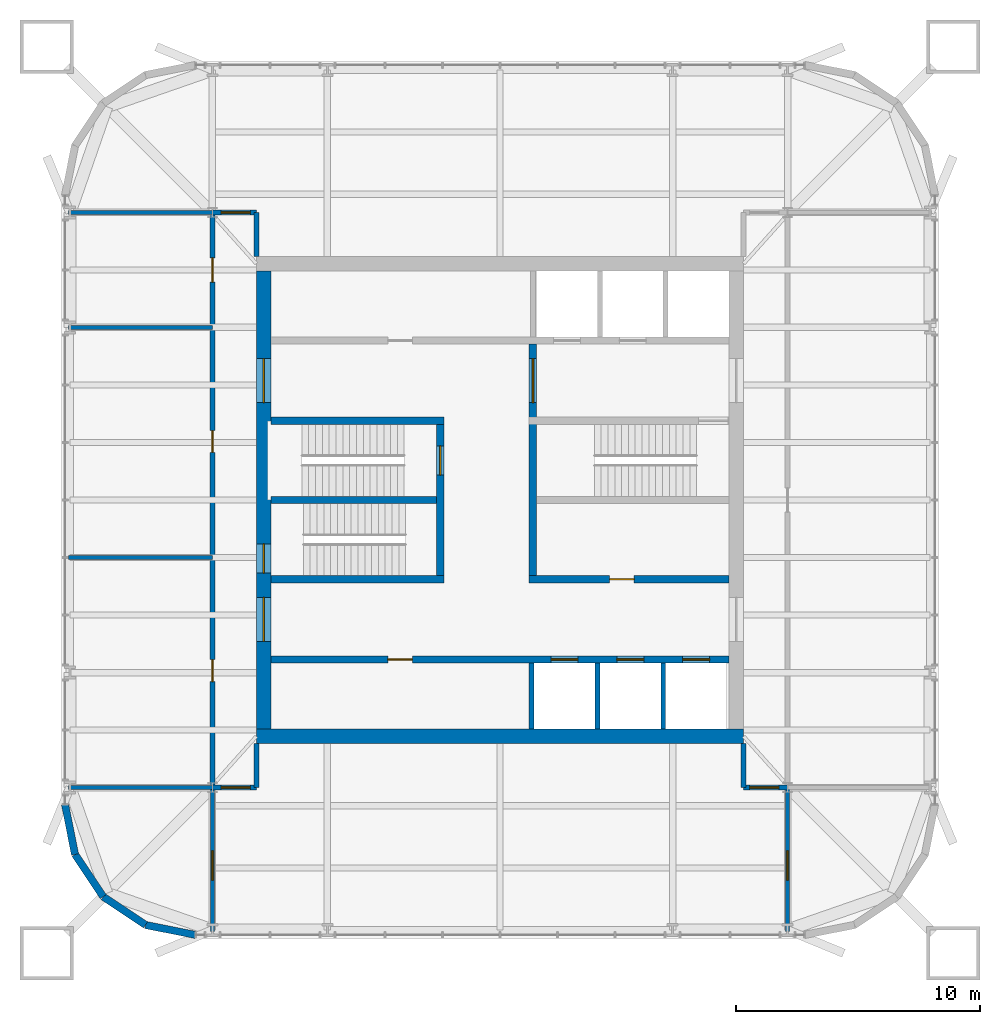
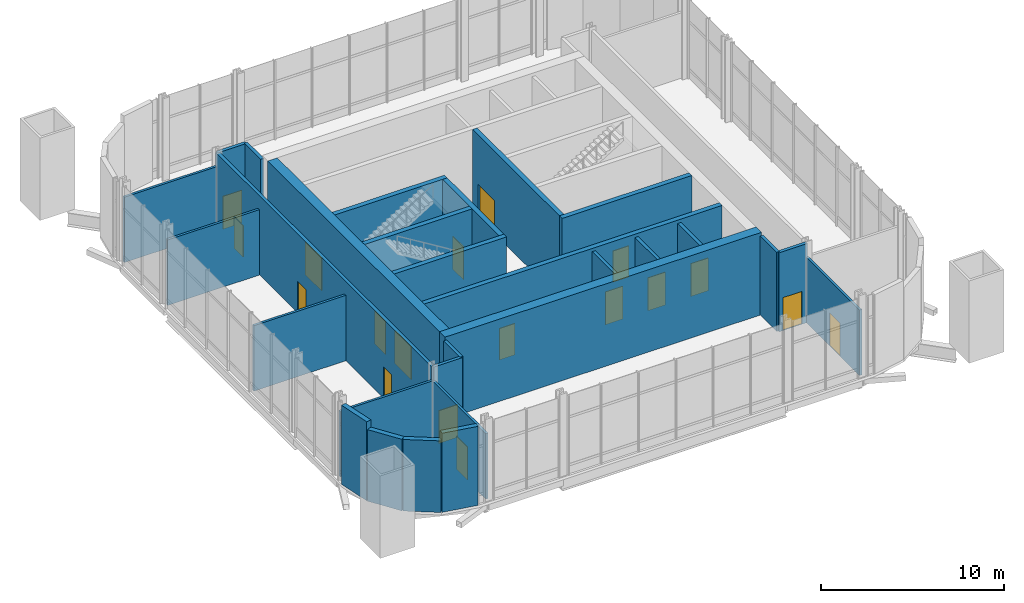
# One storey, part 15 of 17: 29 walls, 18 doors, 18 openings.
"""IFC4 building model written with IfcOpenShell, lengths in metres."""

from ifc_helpers import new_model, si_unit, direction, frame, frame_2d, origin, place, context, subcontext, project, spatial, rectangle, extrude, material, layer, layer_set, type_object, element, fill, save


model = new_model("IFC4")

# Units and contexts
model_context = context("Model", 3, precision=1e-05, world=origin(), true_north=direction((0.0, 1.0)))
body_context = subcontext(model_context, "Body", "Model", "MODEL_VIEW")
ifc_project = project(units=[si_unit("LENGTHUNIT", "METRE"), si_unit("AREAUNIT", "SQUARE_METRE"), si_unit("VOLUMEUNIT", "CUBIC_METRE"), si_unit("PLANEANGLEUNIT", "RADIAN"), si_unit("MASSUNIT", "GRAM", prefix="KILO")], contexts=[model_context])

# Site, building, storey
site_placement = place(None, origin())
site = spatial("IfcSite", under=ifc_project, at=site_placement, CompositionType="ELEMENT")
building_placement = place(site_placement, origin())
building = spatial("IfcBuilding", under=site, at=building_placement, Name="Turquesa Mirador Hotel Tower", CompositionType="ELEMENT")
storey_placement = place(building_placement, frame((0.0, 0.0, 266.699951171875)))
storey = spatial("IfcBuildingStorey", under=building, at=storey_placement, Name="L72", CompositionType="ELEMENT", Elevation=266.699951171875)

# Wall, openings, doors
ifc_material_1 = material(Name="Concrete C50/60", Category="concrete")
ifc_layer_1 = layer(ifc_material_1, 0.300048828125)
ifc_layer_set_1 = layer_set([ifc_layer_1], Name="CORE INNER WALL 300")
wall_type_1 = type_object("IfcWallType", Name="CORE INNER WALL 300", PredefinedType="SHEAR", material=ifc_layer_set_1)
wall_1_placement = place(storey_placement, frame((45.60009765625, 38.449951171875, 0.0), z_axis=(0.0, 0.0, 1.0), x_axis=(1.0, 0.0, 0.0)))
wall_1 = element("IfcWall", 1, at=wall_1_placement, inside=storey, type_object=wall_type_1, Name="Core wall SL", PredefinedType="SHEAR", context=body_context, shape_type="SweptSolid", body=[
    extrude(rectangle(XDim=18.7998046875, YDim=0.300048828125, at=frame_2d((9.39990234375, 0.0))), origin(), (0.0, 0.0, 1.0), 5.5),
])
opening_1_placement = place(wall_1_placement, frame((4.800048828125, 0.0, 0.0)))
opening_1 = element("IfcOpeningElement", 2, at=opening_1_placement, cuts=wall_1, Name="Opening D05", PredefinedType="OPENING", context=body_context, shape_type="SweptSolid", body=[
    extrude(rectangle(XDim=1.0, YDim=2.10009765625, at=frame_2d((0.5, 1.050048828125))), frame((0.0, 0.159912109375, 0.0), z_axis=(0.0, -1.0, 0.0), x_axis=(1.0, 0.0, 0.0)), (0.0, 0.0, 1.0), 0.320068359375),
])
opening_2_placement = place(wall_1_placement, frame((11.5, 0.0, 0.0)))
opening_2 = element("IfcOpeningElement", 3, at=opening_2_placement, cuts=wall_1, Name="Opening LD", PredefinedType="OPENING", context=body_context, shape_type="SweptSolid", body=[
    extrude(rectangle(XDim=1.10009765625, YDim=2.199951171875, at=frame_2d((0.550048828125, 1.10009765625))), frame((0.0, 0.159912109375, 0.0), z_axis=(0.0, -1.0, 0.0), x_axis=(1.0, 0.0, 0.0)), (0.0, 0.0, 1.0), 0.320068359375),
])
opening_3_placement = place(wall_1_placement, frame((14.199951171875, 0.0, 0.0)))
opening_3 = element("IfcOpeningElement", 4, at=opening_3_placement, cuts=wall_1, Name="Opening LD", PredefinedType="OPENING", context=body_context, shape_type="SweptSolid", body=[
    extrude(rectangle(XDim=1.10009765625, YDim=2.199951171875, at=frame_2d((0.550048828125, 1.10009765625))), frame((0.0, 0.159912109375, 0.0), z_axis=(0.0, -1.0, 0.0), x_axis=(1.0, 0.0, 0.0)), (0.0, 0.0, 1.0), 0.320068359375),
])
opening_4_placement = place(wall_1_placement, frame((16.89990234375, 0.0, 0.0)))
opening_4 = element("IfcOpeningElement", 5, at=opening_4_placement, cuts=wall_1, Name="Opening LD", PredefinedType="OPENING", context=body_context, shape_type="SweptSolid", body=[
    extrude(rectangle(XDim=1.10009765625, YDim=2.199951171875, at=frame_2d((0.550048828125, 1.10009765625))), frame((0.0, 0.159912109375, 0.0), z_axis=(0.0, -1.0, 0.0), x_axis=(1.0, 0.0, 0.0)), (0.0, 0.0, 1.0), 0.320068359375),
])
ifc_material_2 = material(Name="Steel fire door", Category="steel")
door_type_1 = type_object("IfcDoorType", Name="DOOR 1000X2100 SERVICE", OperationType="SINGLE_SWING_LEFT", PredefinedType="DOOR", material=ifc_material_2)
door_1_placement = place(opening_1_placement, origin())
door_1 = element("IfcDoor", 6, at=door_1_placement, inside=storey, type_object=door_type_1, Name="Staff room door", OperationType="SINGLE_SWING_LEFT", OverallHeight=2.10009765625, OverallWidth=1.0, PredefinedType="DOOR", context=body_context, shape_type="SweptSolid", body=[
    extrude(rectangle(XDim=1.0, YDim=2.10009765625, at=frame_2d((0.5, 1.050048828125))), frame((0.0, 0.02490234375, 0.0), z_axis=(0.0, -1.0, 0.0), x_axis=(1.0, 0.0, 0.0)), (0.0, 0.0, 1.0), 0.050048828125),
])
fill(opening_1, door_1)
ifc_material_3 = material(Name="Stainless steel lift landing door", Category="steel")
door_type_2 = type_object("IfcDoorType", Name="LIFT LANDING DOOR 1100X2200", OperationType="SLIDING_TO_LEFT", PredefinedType="DOOR", material=ifc_material_3)
door_2_placement = place(opening_2_placement, origin())
door_2 = element("IfcDoor", 7, at=door_2_placement, inside=storey, type_object=door_type_2, Name="Lift X1 landing door", OperationType="SLIDING_TO_LEFT", OverallHeight=2.199951171875, OverallWidth=1.10009765625, PredefinedType="DOOR", context=body_context, shape_type="SweptSolid", body=[
    extrude(rectangle(XDim=1.10009765625, YDim=2.199951171875, at=frame_2d((0.550048828125, 1.10009765625))), frame((0.0, 0.02490234375, 0.0), z_axis=(0.0, -1.0, 0.0), x_axis=(1.0, 0.0, 0.0)), (0.0, 0.0, 1.0), 0.050048828125),
])
fill(opening_2, door_2)
door_3_placement = place(opening_3_placement, origin())
door_3 = element("IfcDoor", 8, at=door_3_placement, inside=storey, type_object=door_type_2, Name="Lift X2 landing door", OperationType="SLIDING_TO_LEFT", OverallHeight=2.199951171875, OverallWidth=1.10009765625, PredefinedType="DOOR", context=body_context, shape_type="SweptSolid", body=[
    extrude(rectangle(XDim=1.10009765625, YDim=2.199951171875, at=frame_2d((0.550048828125, 1.10009765625))), frame((0.0, 0.02490234375, 0.0), z_axis=(0.0, -1.0, 0.0), x_axis=(1.0, 0.0, 0.0)), (0.0, 0.0, 1.0), 0.050048828125),
])
fill(opening_3, door_3)
door_4_placement = place(opening_4_placement, origin())
door_4 = element("IfcDoor", 9, at=door_4_placement, inside=storey, type_object=door_type_2, Name="Lift X3 landing door", OperationType="SLIDING_TO_LEFT", OverallHeight=2.199951171875, OverallWidth=1.10009765625, PredefinedType="DOOR", context=body_context, shape_type="SweptSolid", body=[
    extrude(rectangle(XDim=1.10009765625, YDim=2.199951171875, at=frame_2d((0.550048828125, 1.10009765625))), frame((0.0, 0.02490234375, 0.0), z_axis=(0.0, -1.0, 0.0), x_axis=(1.0, 0.0, 0.0)), (0.0, 0.0, 1.0), 0.050048828125),
])
fill(opening_4, door_4)

# Walls
for number, where, z_axis, x_axis, name in (
    (10, (45.60009765625, 48.25, 0.0), (0.0, 0.0, 1.0), (1.0, 0.0, 0.0), "Core wall MN-W"),
    (11, (45.60009765625, 41.75, 0.0), (0.0, 0.0, 1.0), (1.0, 0.0, 0.0), "Core wall MS-W"),
):
    element("IfcWall", number, at=place(storey_placement, frame(where, z_axis=z_axis, x_axis=x_axis)), inside=storey, type_object=wall_type_1, Name=name, PredefinedType="SHEAR", context=body_context, shape_type="SweptSolid", body=[
        extrude(rectangle(XDim=7.099853515625, YDim=0.300048828125, at=frame_2d((3.5498046875, 0.0))), origin(), (0.0, 0.0, 1.0), 5.5),
    ])

# Wall, opening, door
wall_2_placement = place(storey_placement, frame((56.199951171875, 41.75, 0.0), z_axis=(0.0, 0.0, 1.0), x_axis=(1.0, 0.0, 0.0)))
wall_2 = element("IfcWall", 12, at=wall_2_placement, inside=storey, type_object=wall_type_1, Name="Core wall MS-E", PredefinedType="SHEAR", context=body_context, shape_type="SweptSolid", body=[
    extrude(rectangle(XDim=8.199951171875, YDim=0.300048828125, at=frame_2d((4.10009765625, 0.0))), origin(), (0.0, 0.0, 1.0), 5.5),
])
opening_5_placement = place(wall_2_placement, frame((3.300048828125, 0.0, 0.0)))
opening_5 = element("IfcOpeningElement", 13, at=opening_5_placement, cuts=wall_2, Name="Opening D05", PredefinedType="OPENING", context=body_context, shape_type="SweptSolid", body=[
    extrude(rectangle(XDim=1.0, YDim=2.10009765625, at=frame_2d((0.5, 1.050048828125))), frame((0.0, 0.159912109375, 0.0), z_axis=(0.0, -1.0, 0.0), x_axis=(1.0, 0.0, 0.0)), (0.0, 0.0, 1.0), 0.320068359375),
])
door_5_placement = place(opening_5_placement, origin())
door_5 = element("IfcDoor", 14, at=door_5_placement, inside=storey, type_object=door_type_1, Name="Housekeeping room door", OperationType="SINGLE_SWING_LEFT", OverallHeight=2.10009765625, OverallWidth=1.0, PredefinedType="DOOR", context=body_context, shape_type="SweptSolid", body=[
    extrude(rectangle(XDim=1.0, YDim=2.10009765625, at=frame_2d((0.5, 1.050048828125))), frame((0.0, 0.02490234375, 0.0), z_axis=(0.0, -1.0, 0.0), x_axis=(1.0, 0.0, 0.0)), (0.0, 0.0, 1.0), 0.050048828125),
])
fill(opening_5, door_5)

wall_3_placement = place(storey_placement, frame((52.550048828125, 41.89990234375, 0.0), z_axis=(0.0, 0.0, 1.0), x_axis=(0.0, 1.0, 0.0)))
wall_3 = element("IfcWall", 15, at=wall_3_placement, inside=storey, type_object=wall_type_1, Name="Core wall PW", PredefinedType="SHEAR", context=body_context, shape_type="SweptSolid", body=[
    extrude(rectangle(XDim=6.2001953125, YDim=0.300048828125, at=frame_2d((3.10009765625, 0.0))), origin(), (0.0, 0.0, 1.0), 5.5),
])
opening_6_placement = place(wall_3_placement, frame((4.125, 0.0, 0.0)))
opening_6 = element("IfcOpeningElement", 16, at=opening_6_placement, cuts=wall_3, Name="Opening D03", PredefinedType="OPENING", context=body_context, shape_type="SweptSolid", body=[
    extrude(rectangle(XDim=1.199951171875, YDim=2.199951171875, at=frame_2d((0.60009765625, 1.10009765625))), frame((0.0, 0.159912109375, 0.0), z_axis=(0.0, -1.0, 0.0), x_axis=(1.0, 0.0, 0.0)), (0.0, 0.0, 1.0), 0.320068359375),
])
ifc_material_4 = material(Name="Steel fire door", Category="steel")
door_type_3 = type_object("IfcDoorType", Name="DOOR 1200X2200 STAIR", OperationType="SINGLE_SWING_LEFT", PredefinedType="DOOR", material=ifc_material_4)
door_6_placement = place(opening_6_placement, origin())
door_6 = element("IfcDoor", 17, at=door_6_placement, inside=storey, type_object=door_type_3, Name="Stair ST1 door", OperationType="SINGLE_SWING_LEFT", OverallHeight=2.199951171875, OverallWidth=1.199951171875, PredefinedType="DOOR", context=body_context, shape_type="SweptSolid", body=[
    extrude(rectangle(XDim=1.199951171875, YDim=2.199951171875, at=frame_2d((0.60009765625, 1.10009765625))), frame((0.0, 0.02490234375, 0.0), z_axis=(0.0, -1.0, 0.0), x_axis=(1.0, 0.0, 0.0)), (0.0, 0.0, 1.0), 0.050048828125),
])
fill(opening_6, door_6)

wall_4_placement = place(storey_placement, frame((56.35009765625, 41.89990234375, 0.0), z_axis=(0.0, 0.0, 1.0), x_axis=(0.0, 1.0, 0.0)))
wall_4 = element("IfcWall", 18, at=wall_4_placement, inside=storey, type_object=wall_type_1, Name="Core wall PE", PredefinedType="SHEAR", context=body_context, shape_type="SweptSolid", body=[
    extrude(rectangle(XDim=9.5, YDim=0.300048828125, at=frame_2d((4.75, 0.0))), origin(), (0.0, 0.0, 1.0), 5.5),
])
opening_7_placement = place(wall_4_placement, frame((7.10009765625, 0.0, 0.0)))
opening_7 = element("IfcOpeningElement", 19, at=opening_7_placement, cuts=wall_4, Name="Opening D04", PredefinedType="OPENING", context=body_context, shape_type="SweptSolid", body=[
    extrude(rectangle(XDim=1.800048828125, YDim=2.199951171875, at=frame_2d((0.89990234375, 1.10009765625))), frame((0.0, 0.159912109375, 0.0), z_axis=(0.0, -1.0, 0.0), x_axis=(1.0, 0.0, 0.0)), (0.0, 0.0, 1.0), 0.320068359375),
])
ifc_material_5 = material(Name="Steel fire door pair", Category="steel")
door_type_4 = type_object("IfcDoorType", Name="DOOR 1800X2200 PAIR", OperationType="DOUBLE_DOOR_SINGLE_SWING", PredefinedType="DOOR", material=ifc_material_5)
door_7_placement = place(opening_7_placement, origin())
door_7 = element("IfcDoor", 20, at=door_7_placement, inside=storey, type_object=door_type_4, Name="Firefighting lobby inner door", OperationType="DOUBLE_DOOR_SINGLE_SWING", OverallHeight=2.199951171875, OverallWidth=1.800048828125, PredefinedType="DOOR", context=body_context, shape_type="SweptSolid", body=[
    extrude(rectangle(XDim=1.800048828125, YDim=2.199951171875, at=frame_2d((0.89990234375, 1.10009765625))), frame((0.0, 0.02490234375, 0.0), z_axis=(0.0, -1.0, 0.0), x_axis=(1.0, 0.0, 0.0)), (0.0, 0.0, 1.0), 0.050048828125),
])
fill(opening_7, door_7)

# Walls
wall_5_placement = place(storey_placement, frame((45.60009765625, 45.0, 0.0), z_axis=(0.0, 0.0, 1.0), x_axis=(1.0, 0.0, 0.0)))
element("IfcWall", 21, at=wall_5_placement, inside=storey, type_object=wall_type_1, Name="Core wall M0-W", PredefinedType="SHEAR", context=body_context, shape_type="SweptSolid", body=[
    extrude(rectangle(XDim=6.7998046875, YDim=0.300048828125, at=frame_2d((3.39990234375, 0.0))), origin(), (0.0, 0.0, 1.0), 5.5),
])
ifc_material_6 = material(Name="Concrete C50/60", Category="concrete")
ifc_layer_2 = layer(ifc_material_6, 0.60009765625)
ifc_layer_set_2 = layer_set([ifc_layer_2], Name="CORE WALL 600")
wall_type_2 = type_object("IfcWallType", Name="CORE WALL 600", PredefinedType="SHEAR", material=ifc_layer_set_2)
wall_6_placement = place(storey_placement, frame((45.0, 35.300048828125, 0.0), z_axis=(0.0, 0.0, 1.0), x_axis=(1.0, 0.0, 0.0)))
element("IfcWall", 22, at=wall_6_placement, inside=storey, type_object=wall_type_2, Name="Core wall S", PredefinedType="SHEAR", context=body_context, shape_type="SweptSolid", body=[
    extrude(rectangle(XDim=20.0, YDim=0.60009765625, at=frame_2d((10.0, 0.0))), origin(), (0.0, 0.0, 1.0), 5.5),
])

# Wall, openings, doors
wall_7_placement = place(storey_placement, frame((45.300048828125, 35.60009765625, 0.0), z_axis=(0.0, 0.0, 1.0), x_axis=(0.0, 1.0, 0.0)))
wall_7 = element("IfcWall", 23, at=wall_7_placement, inside=storey, type_object=wall_type_2, Name="Core wall W", PredefinedType="SHEAR", context=body_context, shape_type="SweptSolid", body=[
    extrude(rectangle(XDim=18.7998046875, YDim=0.60009765625, at=frame_2d((9.39990234375, 0.0))), origin(), (0.0, 0.0, 1.0), 5.5),
])
opening_8_placement = place(wall_7_placement, frame((13.39990234375, 0.0, 0.0)))
opening_8 = element("IfcOpeningElement", 24, at=opening_8_placement, cuts=wall_7, Name="Opening D04", PredefinedType="OPENING", context=body_context, shape_type="SweptSolid", body=[
    extrude(rectangle(XDim=1.800048828125, YDim=2.199951171875, at=frame_2d((0.89990234375, 1.10009765625))), frame((0.0, 0.31005859375, 0.0), z_axis=(0.0, -1.0, 0.0), x_axis=(1.0, 0.0, 0.0)), (0.0, 0.0, 1.0), 0.6201171875),
])
opening_9_placement = place(wall_7_placement, frame((3.60009765625, 0.0, 0.0)))
opening_9 = element("IfcOpeningElement", 25, at=opening_9_placement, cuts=wall_7, Name="Opening D04", PredefinedType="OPENING", context=body_context, shape_type="SweptSolid", body=[
    extrude(rectangle(XDim=1.800048828125, YDim=2.199951171875, at=frame_2d((0.89990234375, 1.10009765625))), frame((0.0, 0.31005859375, 0.0), z_axis=(0.0, -1.0, 0.0), x_axis=(1.0, 0.0, 0.0)), (0.0, 0.0, 1.0), 0.6201171875),
])
opening_10_placement = place(wall_7_placement, frame((6.39990234375, 0.0, 0.0)))
opening_10 = element("IfcOpeningElement", 26, at=opening_10_placement, cuts=wall_7, Name="Opening D03", PredefinedType="OPENING", context=body_context, shape_type="SweptSolid", body=[
    extrude(rectangle(XDim=1.199951171875, YDim=2.199951171875, at=frame_2d((0.60009765625, 1.10009765625))), frame((0.0, 0.31005859375, 0.0), z_axis=(0.0, -1.0, 0.0), x_axis=(1.0, 0.0, 0.0)), (0.0, 0.0, 1.0), 0.6201171875),
])
door_8_placement = place(opening_10_placement, origin())
door_8 = element("IfcDoor", 27, at=door_8_placement, inside=storey, type_object=door_type_3, Name="Stair ST2 door", OperationType="SINGLE_SWING_LEFT", OverallHeight=2.199951171875, OverallWidth=1.199951171875, PredefinedType="DOOR", context=body_context, shape_type="SweptSolid", body=[
    extrude(rectangle(XDim=1.199951171875, YDim=2.199951171875, at=frame_2d((0.60009765625, 1.10009765625))), frame((0.0, 0.02490234375, 0.0), z_axis=(0.0, -1.0, 0.0), x_axis=(1.0, 0.0, 0.0)), (0.0, 0.0, 1.0), 0.050048828125),
])
fill(opening_10, door_8)
door_9_placement = place(opening_8_placement, origin())
door_9 = element("IfcDoor", 28, at=door_9_placement, inside=storey, type_object=door_type_4, Name="North lift lobby door", OperationType="DOUBLE_DOOR_SINGLE_SWING", OverallHeight=2.199951171875, OverallWidth=1.800048828125, PredefinedType="DOOR", context=body_context, shape_type="SweptSolid", body=[
    extrude(rectangle(XDim=1.800048828125, YDim=2.199951171875, at=frame_2d((0.89990234375, 1.10009765625))), frame((0.0, 0.02490234375, 0.0), z_axis=(0.0, -1.0, 0.0), x_axis=(1.0, 0.0, 0.0)), (0.0, 0.0, 1.0), 0.050048828125),
])
fill(opening_8, door_9)
door_10_placement = place(opening_9_placement, origin())
door_10 = element("IfcDoor", 29, at=door_10_placement, inside=storey, type_object=door_type_4, Name="South lift lobby door", OperationType="DOUBLE_DOOR_SINGLE_SWING", OverallHeight=2.199951171875, OverallWidth=1.800048828125, PredefinedType="DOOR", context=body_context, shape_type="SweptSolid", body=[
    extrude(rectangle(XDim=1.800048828125, YDim=2.199951171875, at=frame_2d((0.89990234375, 1.10009765625))), frame((0.0, 0.02490234375, 0.0), z_axis=(0.0, -1.0, 0.0), x_axis=(1.0, 0.0, 0.0)), (0.0, 0.0, 1.0), 0.050048828125),
])
fill(opening_9, door_10)

# Wall, opening, door
ifc_material_7 = material(Name="Fire-rated gypsum board on steel studs", Category="steel")
ifc_layer_3 = layer(ifc_material_7, 0.199951171875)
ifc_layer_set_3 = layer_set([ifc_layer_3], Name="CORRIDOR WALL 200")
wall_type_3 = type_object("IfcWallType", Name="CORRIDOR WALL 200", PredefinedType="PARTITIONING", material=ifc_layer_set_3)
wall_8_placement = place(storey_placement, frame((43.199951171875, 33.199951171875, 0.0), z_axis=(0.0, 0.0, 1.0), x_axis=(1.0, 0.0, 0.0)))
wall_8 = element("IfcWall", 30, at=wall_8_placement, inside=storey, type_object=wall_type_3, Name="Partition L72 001", PredefinedType="PARTITIONING", context=body_context, shape_type="SweptSolid", body=[
    extrude(rectangle(XDim=1.800048828125, YDim=0.199951171875, at=frame_2d((0.89990234375, 0.0))), origin(), (0.0, 0.0, 1.0), 5.280029296875),
])
opening_11_placement = place(wall_8_placement, frame((0.35009765625, 0.0, 0.0)))
opening_11 = element("IfcOpeningElement", 31, at=opening_11_placement, cuts=wall_8, Name="Opening D19", PredefinedType="OPENING", context=body_context, shape_type="SweptSolid", body=[
    extrude(rectangle(XDim=1.199951171875, YDim=2.199951171875, at=frame_2d((0.60009765625, 1.10009765625))), frame((0.0, 0.10986328125, 0.0), z_axis=(0.0, -1.0, 0.0), x_axis=(1.0, 0.0, 0.0)), (0.0, 0.0, 1.0), 0.219970703125),
])
ifc_material_8 = material(Name="Steel glazed fire door", Category="steel")
door_type_5 = type_object("IfcDoorType", Name="DOOR 1200X2200 FIRE DOOR GLAZED", OperationType="SINGLE_SWING_LEFT", PredefinedType="DOOR", material=ifc_material_8)
door_11_placement = place(opening_11_placement, origin())
door_11 = element("IfcDoor", 32, at=door_11_placement, inside=storey, type_object=door_type_5, Name="Door L72-02", OperationType="SINGLE_SWING_LEFT", OverallHeight=2.199951171875, OverallWidth=1.199951171875, PredefinedType="DOOR", context=body_context, shape_type="SweptSolid", body=[
    extrude(rectangle(XDim=1.199951171875, YDim=2.199951171875, at=frame_2d((0.60009765625, 1.10009765625))), frame((0.0, 0.02490234375, 0.0), z_axis=(0.0, -1.0, 0.0), x_axis=(1.0, 0.0, 0.0)), (0.0, 0.0, 1.0), 0.050048828125),
])
fill(opening_11, door_11)

wall_9_placement = place(storey_placement, frame((65.0, 33.199951171875, 0.0), z_axis=(0.0, 0.0, 1.0), x_axis=(1.0, 0.0, 0.0)))
wall_9 = element("IfcWall", 33, at=wall_9_placement, inside=storey, type_object=wall_type_3, Name="Partition L72 002", PredefinedType="PARTITIONING", context=body_context, shape_type="SweptSolid", body=[
    extrude(rectangle(XDim=1.800048828125, YDim=0.199951171875, at=frame_2d((0.89990234375, 0.0))), origin(), (0.0, 0.0, 1.0), 5.280029296875),
])
opening_12_placement = place(wall_9_placement, frame((0.25, 0.0, 0.0)))
opening_12 = element("IfcOpeningElement", 34, at=opening_12_placement, cuts=wall_9, Name="Opening D19", PredefinedType="OPENING", context=body_context, shape_type="SweptSolid", body=[
    extrude(rectangle(XDim=1.199951171875, YDim=2.199951171875, at=frame_2d((0.60009765625, 1.10009765625))), frame((0.0, 0.10986328125, 0.0), z_axis=(0.0, -1.0, 0.0), x_axis=(1.0, 0.0, 0.0)), (0.0, 0.0, 1.0), 0.219970703125),
])
door_12_placement = place(opening_12_placement, origin())
door_12 = element("IfcDoor", 35, at=door_12_placement, inside=storey, type_object=door_type_5, Name="Door L72-02-1", OperationType="SINGLE_SWING_LEFT", OverallHeight=2.199951171875, OverallWidth=1.199951171875, PredefinedType="DOOR", context=body_context, shape_type="SweptSolid", body=[
    extrude(rectangle(XDim=1.199951171875, YDim=2.199951171875, at=frame_2d((0.60009765625, 1.10009765625))), frame((0.0, 0.02490234375, 0.0), z_axis=(0.0, -1.0, 0.0), x_axis=(1.0, 0.0, 0.0)), (0.0, 0.0, 1.0), 0.050048828125),
])
fill(opening_12, door_12)

wall_10_placement = place(storey_placement, frame((43.199951171875, 56.800048828125, 0.0), z_axis=(0.0, 0.0, 1.0), x_axis=(1.0, 0.0, 0.0)))
wall_10 = element("IfcWall", 36, at=wall_10_placement, inside=storey, type_object=wall_type_3, Name="Partition L72 006", PredefinedType="PARTITIONING", context=body_context, shape_type="SweptSolid", body=[
    extrude(rectangle(XDim=1.800048828125, YDim=0.199951171875, at=frame_2d((0.89990234375, 0.0))), origin(), (0.0, 0.0, 1.0), 5.280029296875),
])
opening_13_placement = place(wall_10_placement, frame((0.35009765625, 0.0, 0.0)))
opening_13 = element("IfcOpeningElement", 37, at=opening_13_placement, cuts=wall_10, Name="Opening D19", PredefinedType="OPENING", context=body_context, shape_type="SweptSolid", body=[
    extrude(rectangle(XDim=1.199951171875, YDim=2.199951171875, at=frame_2d((0.60009765625, 1.10009765625))), frame((0.0, 0.10986328125, 0.0), z_axis=(0.0, -1.0, 0.0), x_axis=(1.0, 0.0, 0.0)), (0.0, 0.0, 1.0), 0.219970703125),
])
door_13_placement = place(opening_13_placement, origin())
door_13 = element("IfcDoor", 38, at=door_13_placement, inside=storey, type_object=door_type_5, Name="Door L72-01", OperationType="SINGLE_SWING_LEFT", OverallHeight=2.199951171875, OverallWidth=1.199951171875, PredefinedType="DOOR", context=body_context, shape_type="SweptSolid", body=[
    extrude(rectangle(XDim=1.199951171875, YDim=2.199951171875, at=frame_2d((0.60009765625, 1.10009765625))), frame((0.0, 0.02490234375, 0.0), z_axis=(0.0, -1.0, 0.0), x_axis=(1.0, 0.0, 0.0)), (0.0, 0.0, 1.0), 0.050048828125),
])
fill(opening_13, door_13)

# Walls
for number, where, z_axis, x_axis, name in (
    (39, (45.0, 33.199951171875, 0.0), (0.0, 0.0, 1.0), (0.0, 1.0, 0.0), "Partition L72 011"),
    (40, (45.0, 55.0, 0.0), (0.0, 0.0, 1.0), (0.0, 1.0, 0.0), "Partition L72 012"),
):
    element("IfcWall", number, at=place(storey_placement, frame(where, z_axis=z_axis, x_axis=x_axis)), inside=storey, type_object=wall_type_3, Name=name, PredefinedType="PARTITIONING", context=body_context, shape_type="SweptSolid", body=[
        extrude(rectangle(XDim=1.800048828125, YDim=0.199951171875, at=frame_2d((0.89990234375, 0.0))), origin(), (0.0, 0.0, 1.0), 5.280029296875),
    ])

# Wall, openings, doors
wall_11_placement = place(storey_placement, frame((43.199951171875, 33.199951171875, 0.0), z_axis=(0.0, 0.0, 1.0), x_axis=(0.0, 1.0, 0.0)))
wall_11 = element("IfcWall", 41, at=wall_11_placement, inside=storey, type_object=wall_type_3, Name="Partition L72 013", PredefinedType="PARTITIONING", context=body_context, shape_type="SweptSolid", body=[
    extrude(rectangle(XDim=23.60009765625, YDim=0.199951171875, at=frame_2d((11.800048828125, 0.0))), origin(), (0.0, 0.0, 1.0), 5.280029296875),
])
opening_14_placement = place(wall_11_placement, frame((20.739990234375, 0.0, 0.0)))
opening_14 = element("IfcOpeningElement", 42, at=opening_14_placement, cuts=wall_11, Name="Opening D07", PredefinedType="OPENING", context=body_context, shape_type="SweptSolid", body=[
    extrude(rectangle(XDim=1.0, YDim=2.10009765625, at=frame_2d((0.5, 1.050048828125))), frame((0.0, 0.10986328125, 0.0), z_axis=(0.0, -1.0, 0.0), x_axis=(1.0, 0.0, 0.0)), (0.0, 0.0, 1.0), 0.219970703125),
])
opening_15_placement = place(wall_11_placement, frame((4.35009765625, 0.0, 0.0)))
opening_15 = element("IfcOpeningElement", 43, at=opening_15_placement, cuts=wall_11, Name="Opening D06", PredefinedType="OPENING", context=body_context, shape_type="SweptSolid", body=[
    extrude(rectangle(XDim=0.89990234375, YDim=2.10009765625, at=frame_2d((0.449951171875, 1.050048828125))), frame((0.0, 0.10986328125, 0.0), z_axis=(0.0, -1.0, 0.0), x_axis=(1.0, 0.0, 0.0)), (0.0, 0.0, 1.0), 0.219970703125),
])
opening_16_placement = place(wall_11_placement, frame((13.75, 0.0, 0.0)))
opening_16 = element("IfcOpeningElement", 44, at=opening_16_placement, cuts=wall_11, Name="Opening D06", PredefinedType="OPENING", context=body_context, shape_type="SweptSolid", body=[
    extrude(rectangle(XDim=0.89990234375, YDim=2.10009765625, at=frame_2d((0.449951171875, 1.050048828125))), frame((0.0, 0.10986328125, 0.0), z_axis=(0.0, -1.0, 0.0), x_axis=(1.0, 0.0, 0.0)), (0.0, 0.0, 1.0), 0.219970703125),
])
ifc_material_9 = material(Name="Laminate sliding door", Category="wood")
door_type_6 = type_object("IfcDoorType", Name="DOOR 1000X2100 ACCESSIBLE WC", OperationType="SLIDING_TO_LEFT", PredefinedType="DOOR", material=ifc_material_9)
door_14_placement = place(opening_14_placement, origin())
door_14 = element("IfcDoor", 45, at=door_14_placement, inside=storey, type_object=door_type_6, Name="Door L72-08", OperationType="SLIDING_TO_LEFT", OverallHeight=2.10009765625, OverallWidth=1.0, PredefinedType="DOOR", context=body_context, shape_type="SweptSolid", body=[
    extrude(rectangle(XDim=1.0, YDim=2.10009765625, at=frame_2d((0.5, 1.050048828125))), frame((0.0, 0.02490234375, 0.0), z_axis=(0.0, -1.0, 0.0), x_axis=(1.0, 0.0, 0.0)), (0.0, 0.0, 1.0), 0.050048828125),
])
fill(opening_14, door_14)
ifc_material_10 = material(Name="Laminate door", Category="wood")
door_type_7 = type_object("IfcDoorType", Name="DOOR 900X2100 WC", OperationType="SINGLE_SWING_LEFT", PredefinedType="DOOR", material=ifc_material_10)
door_15_placement = place(opening_15_placement, origin())
door_15 = element("IfcDoor", 46, at=door_15_placement, inside=storey, type_object=door_type_7, Name="Door L72-06", OperationType="SINGLE_SWING_LEFT", OverallHeight=2.10009765625, OverallWidth=0.89990234375, PredefinedType="DOOR", context=body_context, shape_type="SweptSolid", body=[
    extrude(rectangle(XDim=0.89990234375, YDim=2.10009765625, at=frame_2d((0.449951171875, 1.050048828125))), frame((0.0, 0.02490234375, 0.0), z_axis=(0.0, -1.0, 0.0), x_axis=(1.0, 0.0, 0.0)), (0.0, 0.0, 1.0), 0.050048828125),
])
fill(opening_15, door_15)
door_16_placement = place(opening_16_placement, origin())
door_16 = element("IfcDoor", 47, at=door_16_placement, inside=storey, type_object=door_type_7, Name="Door L72-07", OperationType="SINGLE_SWING_LEFT", OverallHeight=2.10009765625, OverallWidth=0.89990234375, PredefinedType="DOOR", context=body_context, shape_type="SweptSolid", body=[
    extrude(rectangle(XDim=0.89990234375, YDim=2.10009765625, at=frame_2d((0.449951171875, 1.050048828125))), frame((0.0, 0.02490234375, 0.0), z_axis=(0.0, -1.0, 0.0), x_axis=(1.0, 0.0, 0.0)), (0.0, 0.0, 1.0), 0.050048828125),
])
fill(opening_16, door_16)

# Walls
wall_12_placement = place(storey_placement, frame((65.0, 33.199951171875, 0.0), z_axis=(0.0, 0.0, 1.0), x_axis=(0.0, 1.0, 0.0)))
element("IfcWall", 48, at=wall_12_placement, inside=storey, type_object=wall_type_3, Name="Partition L72 015", PredefinedType="PARTITIONING", context=body_context, shape_type="SweptSolid", body=[
    extrude(rectangle(XDim=1.800048828125, YDim=0.199951171875, at=frame_2d((0.89990234375, 0.0))), origin(), (0.0, 0.0, 1.0), 5.280029296875),
])
ifc_material_11 = material(Name="Limestone cladding on concrete block", Category="masonry")
ifc_layer_4 = layer(ifc_material_11, 0.300048828125)
ifc_layer_set_4 = layer_set([ifc_layer_4], Name="FACADE WALL 300 STONE PIER")
wall_type_4 = type_object("IfcWallType", Name="FACADE WALL 300 STONE PIER", PredefinedType="SOLIDWALL", material=ifc_layer_set_4)
wall_13_placement = place(storey_placement, frame((37.14990234375, 32.5, 0.0), z_axis=(0.0, 0.0, 1.0), x_axis=(0.195081421501, -0.980787050784, 0.0)))
element("IfcWall", 49, at=wall_13_placement, inside=storey, type_object=wall_type_4, Name="Facade wall L72 bay CWO-L72-06 00", PredefinedType="SOLIDWALL", context=body_context, shape_type="SweptSolid", body=[
    extrude(rectangle(XDim=2.08740234375, YDim=0.300048828125, at=frame_2d((1.043701171875, 0.0))), origin(), (0.0, 0.0, 1.0), 5.280029296875),
])
for number, where, z_axis, x_axis, name in (
    (50, (37.55712890625, 30.45263671875, 0.0), (0.0, 0.0, 1.0), (0.555644460423, -0.831420010345, 0.0), "Facade wall L72 bay CWO-L72-06 01"),
    (51, (38.717041015625, 28.717041015625, 0.0), (0.0, 0.0, 1.0), (0.831420010345, -0.555644460423, 0.0), "Facade wall L72 bay CWO-L72-06 02"),
):
    element("IfcWall", number, at=place(storey_placement, frame(where, z_axis=z_axis, x_axis=x_axis)), inside=storey, type_object=wall_type_4, Name=name, PredefinedType="SOLIDWALL", context=body_context, shape_type="SweptSolid", body=[
        extrude(rectangle(XDim=2.08740234375, YDim=0.300048828125, at=frame_2d((1.043701171875, 0.0))), origin(), (0.0, 0.0, 1.0), 4.780029296875),
    ])
wall_14_placement = place(storey_placement, frame((40.45263671875, 27.55712890625, 0.0), z_axis=(0.0, 0.0, 1.0), x_axis=(0.980787050784, -0.195081421501, 0.0)))
element("IfcWall", 52, at=wall_14_placement, inside=storey, type_object=wall_type_4, Name="Facade wall L72 bay CWO-L72-06 03", PredefinedType="SOLIDWALL", context=body_context, shape_type="SweptSolid", body=[
    extrude(rectangle(XDim=2.08740234375, YDim=0.300048828125, at=frame_2d((1.043701171875, 0.0))), origin(), (0.0, 0.0, 1.0), 5.280029296875),
])
ifc_material_12 = material(Name="Fire-rated gypsum shaft wall on steel studs", Category="steel")
ifc_layer_5 = layer(ifc_material_12, 0.199951171875)
ifc_layer_set_5 = layer_set([ifc_layer_5], Name="LIFT SHAFT DIVIDER 200")
wall_type_5 = type_object("IfcWallType", Name="LIFT SHAFT DIVIDER 200", PredefinedType="PARTITIONING", material=ifc_layer_set_5)
for number, where, z_axis, x_axis, name in (
    (53, (56.300048828125, 35.60009765625, 0.0), (0.0, 0.0, 1.0), (0.0, 1.0, 0.0), "Lift shaft divider"),
    (54, (59.0, 35.60009765625, 0.0), (0.0, 0.0, 1.0), (0.0, 1.0, 0.0), "Lift shaft divider"),
    (55, (61.699951171875, 35.60009765625, 0.0), (0.0, 0.0, 1.0), (0.0, 1.0, 0.0), "Lift shaft divider"),
):
    element("IfcWall", number, at=place(storey_placement, frame(where, z_axis=z_axis, x_axis=x_axis)), inside=storey, type_object=wall_type_5, Name=name, PredefinedType="PARTITIONING", context=body_context, shape_type="SweptSolid", body=[
        extrude(rectangle(XDim=2.699951171875, YDim=0.199951171875, at=frame_2d((1.35009765625, 0.0))), origin(), (0.0, 0.0, 1.0), 5.280029296875),
    ])
ifc_material_13 = material(Name="Gypsum board on steel studs", Category="steel")
ifc_layer_6 = layer(ifc_material_13, 0.14990234375)
ifc_layer_set_6 = layer_set([ifc_layer_6], Name="PARTITION 150")
wall_type_6 = type_object("IfcWallType", Name="PARTITION 150", PredefinedType="PARTITIONING", material=ifc_layer_set_6)
for number, where, z_axis, x_axis, name in (
    (56, (37.300048828125, 33.199951171875, 0.0), (0.0, 0.0, 1.0), (1.0, 0.0, 0.0), "Partition L72 003"),
    (57, (37.300048828125, 42.639892578125, 0.0), (0.0, 0.0, 1.0), (1.0, 0.0, 0.0), "Partition L72 005"),
    (58, (37.300048828125, 56.800048828125, 0.0), (0.0, 0.0, 1.0), (1.0, 0.0, 0.0), "Partition L72 008"),
    (59, (37.300048828125, 52.080078125, 0.0), (0.0, 0.0, 1.0), (1.0, 0.0, 0.0), "Partition L72 010"),
):
    element("IfcWall", number, at=place(storey_placement, frame(where, z_axis=z_axis, x_axis=x_axis)), inside=storey, type_object=wall_type_6, Name=name, PredefinedType="PARTITIONING", context=body_context, shape_type="SweptSolid", body=[
        extrude(rectangle(XDim=5.89990234375, YDim=0.14990234375, at=frame_2d((2.949951171875, 0.0))), origin(), (0.0, 0.0, 1.0), 4.3681640625),
    ])

# Wall, opening, door
wall_15_placement = place(storey_placement, frame((43.199951171875, 27.300048828125, 0.0), z_axis=(0.0, 0.0, 1.0), x_axis=(0.0, 1.0, 0.0)))
wall_15 = element("IfcWall", 60, at=wall_15_placement, inside=storey, type_object=wall_type_6, Name="Partition L72 014", PredefinedType="PARTITIONING", context=body_context, shape_type="SweptSolid", body=[
    extrude(rectangle(XDim=5.89990234375, YDim=0.14990234375, at=frame_2d((2.949951171875, 0.0))), origin(), (0.0, 0.0, 1.0), 4.3681640625),
])
opening_17_placement = place(wall_15_placement, frame((2.10009765625, 0.0, 0.0)))
opening_17 = element("IfcOpeningElement", 61, at=opening_17_placement, cuts=wall_15, Name="Opening D09", PredefinedType="OPENING", context=body_context, shape_type="SweptSolid", body=[
    extrude(rectangle(XDim=1.199951171875, YDim=2.199951171875, at=frame_2d((0.60009765625, 1.10009765625))), frame((0.0, 0.0849609375, 0.0), z_axis=(0.0, -1.0, 0.0), x_axis=(1.0, 0.0, 0.0)), (0.0, 0.0, 1.0), 0.169921875),
])
ifc_material_14 = material(Name="Timber door", Category="wood")
door_type_8 = type_object("IfcDoorType", Name="DOOR 1200X2200 OFFICE", OperationType="SINGLE_SWING_LEFT", PredefinedType="DOOR", material=ifc_material_14)
door_17_placement = place(opening_17_placement, origin())
door_17 = element("IfcDoor", 62, at=door_17_placement, inside=storey, type_object=door_type_8, Name="Door L72-04", OperationType="SINGLE_SWING_LEFT", OverallHeight=2.199951171875, OverallWidth=1.199951171875, PredefinedType="DOOR", context=body_context, shape_type="SweptSolid", body=[
    extrude(rectangle(XDim=1.199951171875, YDim=2.199951171875, at=frame_2d((0.60009765625, 1.10009765625))), frame((0.0, 0.02490234375, 0.0), z_axis=(0.0, -1.0, 0.0), x_axis=(1.0, 0.0, 0.0)), (0.0, 0.0, 1.0), 0.050048828125),
])
fill(opening_17, door_17)

wall_16_placement = place(storey_placement, frame((66.800048828125, 27.300048828125, 0.0), z_axis=(0.0, 0.0, 1.0), x_axis=(0.0, 1.0, 0.0)))
wall_16 = element("IfcWall", 63, at=wall_16_placement, inside=storey, type_object=wall_type_6, Name="Partition L72 018", PredefinedType="PARTITIONING", context=body_context, shape_type="SweptSolid", body=[
    extrude(rectangle(XDim=5.89990234375, YDim=0.14990234375, at=frame_2d((2.949951171875, 0.0))), origin(), (0.0, 0.0, 1.0), 4.3681640625),
])
opening_18_placement = place(wall_16_placement, frame((2.10009765625, 0.0, 0.0)))
opening_18 = element("IfcOpeningElement", 64, at=opening_18_placement, cuts=wall_16, Name="Opening D09", PredefinedType="OPENING", context=body_context, shape_type="SweptSolid", body=[
    extrude(rectangle(XDim=1.199951171875, YDim=2.199951171875, at=frame_2d((0.60009765625, 1.10009765625))), frame((0.0, 0.0849609375, 0.0), z_axis=(0.0, -1.0, 0.0), x_axis=(1.0, 0.0, 0.0)), (0.0, 0.0, 1.0), 0.169921875),
])
door_18_placement = place(opening_18_placement, origin())
door_18 = element("IfcDoor", 65, at=door_18_placement, inside=storey, type_object=door_type_8, Name="Door L72-03", OperationType="SINGLE_SWING_LEFT", OverallHeight=2.199951171875, OverallWidth=1.199951171875, PredefinedType="DOOR", context=body_context, shape_type="SweptSolid", body=[
    extrude(rectangle(XDim=1.199951171875, YDim=2.199951171875, at=frame_2d((0.60009765625, 1.10009765625))), frame((0.0, 0.02490234375, 0.0), z_axis=(0.0, -1.0, 0.0), x_axis=(1.0, 0.0, 0.0)), (0.0, 0.0, 1.0), 0.050048828125),
])
fill(opening_18, door_18)

save(model, "model.ifc")
